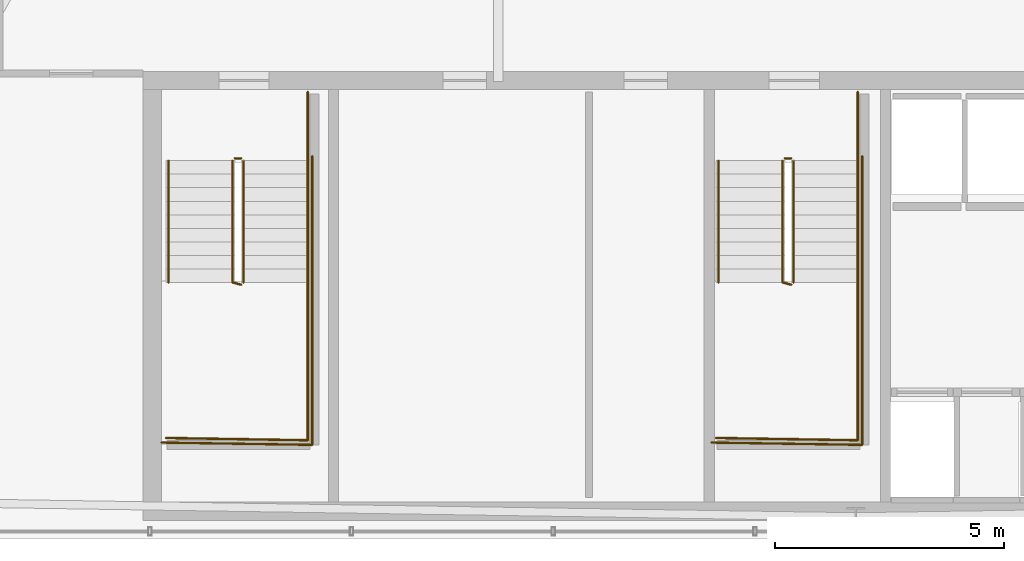
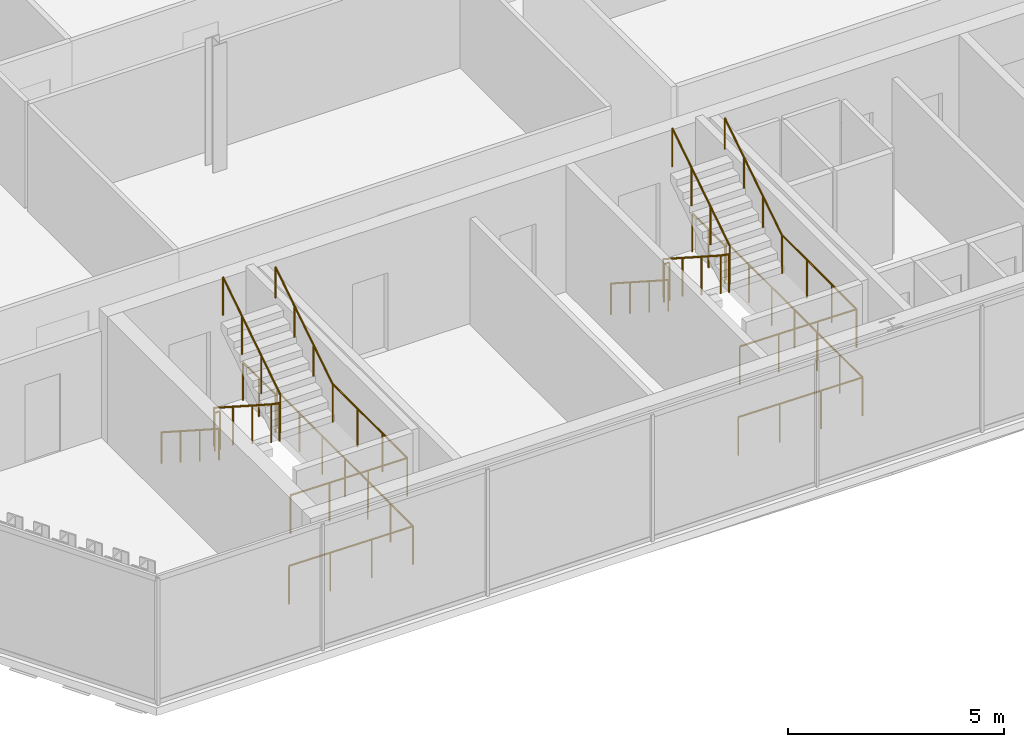
# One storey, part 30 of 32: 16 railings.
"""IFC4 building model written with IfcOpenShell, lengths in metres."""

import ifcopenshell
import ifcopenshell.guid

model = None  # the IFC model being written
_history = None  # IfcOwnerHistory: only IFC2X3 demands one
_inside = {}  # id of a spatial element -> (the spatial element, [elements in it])
_under = {}  # id of a project, library or spatial element -> (it, [spatial elements below it])
_declared = {}  # id of a project -> (the project, [libraries it declares])
_typed = {}  # id of a type object -> (the type object, [elements of that type])
_made_of = {}  # id of a material, layer set ... -> (it, [elements and type objects made of it])


def new_model(schema):
    """Start an empty IFC model of exactly this schema.

    Asked for "IFC4X3", IfcOpenShell would pick the latest addendum, in which some entities
    have other attributes; the version numbers below select the first issue.
    IFC2X3 requires an IfcOwnerHistory on every rooted entity: one is made here for all.
    """
    global model, _history
    if schema == "IFC4X3":
        model = ifcopenshell.file(schema_version=(4, 3, 0, 0))
    else:
        model = ifcopenshell.file(schema=schema)
    _inside.clear()
    _under.clear()
    _declared.clear()
    _typed.clear()
    _made_of.clear()
    _history = None
    if model.schema == "IFC2X3":
        org = make("IfcOrganization", Name="unknown")
        user = make(
            "IfcPersonAndOrganization",
            ThePerson=make("IfcPerson", FamilyName="unknown"),
            TheOrganization=org,
        )
        app = make(
            "IfcApplication",
            ApplicationDeveloper=org,
            Version="unknown",
            ApplicationFullName="unknown",
            ApplicationIdentifier="unknown",
        )
        _history = make(
            "IfcOwnerHistory",
            OwningUser=user,
            OwningApplication=app,
            ChangeAction="ADDED",
            CreationDate=0,
        )
    return model


def make(cls, **values):
    """One entity of the class cls with the attributes given. An attribute that is None is left unset."""
    return model.create_entity(
        cls, **{name: value for name, value in values.items() if value is not None}
    )


def rooted(cls, **values):
    """An entity with a GlobalId (a new one), such as an element, a storey or a relation."""
    return make(cls, GlobalId=ifcopenshell.guid.new(), OwnerHistory=_history, **values)


def si_unit(unit_type, name, prefix=None):
    """IfcSIUnit, for example si_unit("LENGTHUNIT", "METRE", prefix="MILLI")."""
    return make("IfcSIUnit", UnitType=unit_type, Prefix=prefix, Name=name)


def assignment(units):
    """IfcUnitAssignment: the units of a project."""
    return None if units is None else make("IfcUnitAssignment", Units=units)


def point(xyz):
    """IfcCartesianPoint."""
    return None if xyz is None else make("IfcCartesianPoint", Coordinates=xyz)


def direction(xyz):
    """IfcDirection."""
    return None if xyz is None else make("IfcDirection", DirectionRatios=xyz)


def frame(location, z_axis=None, x_axis=None):
    """IfcAxis2Placement3D, a coordinate frame: its origin and axes. An axis left out is left unset."""
    return make(
        "IfcAxis2Placement3D",
        Location=point(location),
        Axis=direction(z_axis),
        RefDirection=direction(x_axis),
    )


def frame_2d(location, x_axis=None):
    """IfcAxis2Placement2D, a coordinate frame in the plane: its origin and x axis."""
    return make(
        "IfcAxis2Placement2D", Location=point(location), RefDirection=direction(x_axis)
    )


def origin():
    """The frame at (0, 0, 0) with its axes left unset."""
    return frame((0.0, 0.0, 0.0))


def origin_2d():
    """The frame at (0, 0) in the plane with its x axis left unset."""
    return frame_2d((0.0, 0.0))


def place(relative_to, where):
    """IfcLocalPlacement: puts the frame where relative to a parent placement (None: the world)."""
    return make(
        "IfcLocalPlacement", PlacementRelTo=relative_to, RelativePlacement=where
    )


def context(
    kind, dimensions, precision=None, world=None, true_north=None, identifier=None
):
    """IfcGeometricRepresentationContext, for example the 3D "Model" context."""
    return make(
        "IfcGeometricRepresentationContext",
        ContextIdentifier=identifier,
        ContextType=kind,
        CoordinateSpaceDimension=dimensions,
        Precision=precision,
        WorldCoordinateSystem=world,
        TrueNorth=true_north,
    )


def subcontext(parent, identifier, kind, view, scale=None):
    """IfcGeometricRepresentationSubContext, for example "Body" below "Model"."""
    return make(
        "IfcGeometricRepresentationSubContext",
        ContextIdentifier=identifier,
        ContextType=kind,
        ParentContext=parent,
        TargetScale=scale,
        TargetView=view,
    )


def project(units=None, contexts=None):
    """IfcProject with its units and contexts."""
    return rooted(
        "IfcProject",
        Name="project",
        RepresentationContexts=contexts,
        UnitsInContext=assignment(units),
    )


def spatial(cls, under=None, at=None, **own):
    """A site, building, storey or space (cls), placed at a placement, below another one or the project."""
    s = rooted(cls, ObjectPlacement=at, **own)
    if under is not None:
        _under.setdefault(under.id(), (under, []))[1].append(s)
    return s


def profile(cls, at=None, kind="AREA", **sizes):
    """A parametric profile (cls). Its sizes go by their IFC names, for example OverallWidth=200.0."""
    return make(cls, ProfileType=kind, Position=at, **sizes)


def circle(**sizes):
    """IfcCircleProfileDef."""
    return profile("IfcCircleProfileDef", **sizes)


def extrude(swept, where, along, depth):
    """IfcExtrudedAreaSolid: the profile swept, set in the frame where, extruded along a direction by depth."""
    return make(
        "IfcExtrudedAreaSolid",
        SweptArea=swept,
        Position=where,
        ExtrudedDirection=direction(along),
        Depth=depth,
    )


def shape(context_of_items, identifier, shape_type, items):
    """IfcShapeRepresentation: the items that make up one representation, for example the "Body"."""
    return make(
        "IfcShapeRepresentation",
        ContextOfItems=context_of_items,
        RepresentationIdentifier=identifier,
        RepresentationType=shape_type,
        Items=items,
    )


def material(Name=None, Category=None):
    """IfcMaterial."""
    return make("IfcMaterial", Name=Name, Category=Category)


def layer(
    of_material, thickness, ventilated=None, Name=None, Category=None, Priority=None
):
    """IfcMaterialLayer: one layer of a wall or slab, of a material (None: an air gap)."""
    return make(
        "IfcMaterialLayer",
        Material=of_material,
        LayerThickness=thickness,
        IsVentilated=ventilated,
        Name=Name,
        Category=Category,
        Priority=Priority,
    )


def layer_set(layers, Name=None):
    """IfcMaterialLayerSet."""
    return make("IfcMaterialLayerSet", MaterialLayers=layers, LayerSetName=Name)


def made_of(thing, what):
    """Note that an element or type object is made of a material, layer set ...; save() writes the relation."""
    if what is not None:
        _made_of.setdefault(what.id(), (what, []))[1].append(thing)
    return thing


def type_object(cls, material=None, **own):
    """A type object (cls), such as IfcWallType, which elements share."""
    return made_of(rooted(cls, **own), material)


def element(
    cls,
    number,
    at=None,
    inside=None,
    cuts=None,
    type_object=None,
    material=None,
    context=None,
    identifier="Body",
    shape_type=None,
    held_by="IfcProductDefinitionShape",
    body=None,
    shapes=None,
    **own,
):
    """One element of the class cls, such as IfcWall. Its Tag is "e" and its number.

    at: its placement. inside: the storey or other place that contains it. cuts: it is an
    opening in that element (IfcRelVoidsElement). A single representation is given by context,
    identifier, shape_type and body (its items); several are given by shapes. held_by: the class
    of the entity that holds the representations. save() writes the other relations.
    """
    e = rooted(cls, Tag="e%d" % number, ObjectPlacement=at, **own)
    if body is not None:
        shapes = [shape(context, identifier, shape_type, body)]
    if shapes is not None:
        e.Representation = make(held_by, Representations=shapes)
    if inside is not None:
        _inside.setdefault(inside.id(), (inside, []))[1].append(e)
    if cuts is not None:
        rooted(
            "IfcRelVoidsElement", RelatingBuildingElement=cuts, RelatedOpeningElement=e
        )
    if type_object is not None:
        _typed.setdefault(type_object.id(), (type_object, []))[1].append(e)
    return made_of(e, material)


def aggregate(whole, parts):
    """IfcRelAggregates: a whole, such as a stair, and the parts it consists of."""
    return rooted("IfcRelAggregates", RelatingObject=whole, RelatedObjects=parts)


def save(model, path):
    """Write the relations noted so far, then the file.

    IfcRelAggregates (storeys below a building ...), IfcRelContainedInSpatialStructure (elements
    in a storey), IfcRelDefinesByType, IfcRelAssociatesMaterial and IfcRelDeclares: one each for
    every whole, place, type object, material and project.
    """
    for whole, parts in _under.values():
        aggregate(whole, parts)
    for where, things in _inside.values():
        rooted(
            "IfcRelContainedInSpatialStructure",
            RelatedElements=things,
            RelatingStructure=where,
        )
    for kind, things in _typed.values():
        rooted("IfcRelDefinesByType", RelatedObjects=things, RelatingType=kind)
    for what, things in _made_of.values():
        rooted("IfcRelAssociatesMaterial", RelatedObjects=things, RelatingMaterial=what)
    for by, libraries in _declared.values():
        rooted("IfcRelDeclares", RelatingContext=by, RelatedDefinitions=libraries)
    model.write(path)


model = new_model("IFC4")

# Units and contexts
model_context = context("Model", 3, precision=1e-05, world=origin(), true_north=direction((0.0, 1.0)))
body_context = subcontext(model_context, "Body", "Model", "MODEL_VIEW")
ifc_project = project(units=[si_unit("LENGTHUNIT", "METRE"), si_unit("AREAUNIT", "SQUARE_METRE"), si_unit("VOLUMEUNIT", "CUBIC_METRE"), si_unit("PLANEANGLEUNIT", "RADIAN"), si_unit("MASSUNIT", "GRAM", prefix="KILO")], contexts=[model_context])

# Site, building, storey
site_placement = place(None, origin())
site = spatial("IfcSite", under=ifc_project, at=site_placement, CompositionType="ELEMENT")
building_placement = place(site_placement, origin())
building = spatial("IfcBuilding", under=site, at=building_placement, Name="Ndaravel Arena Tower", CompositionType="ELEMENT")
storey_placement = place(building_placement, frame((0.0, 0.0, 252.199951171875)))
storey = spatial("IfcBuildingStorey", under=building, at=storey_placement, Name="L61", CompositionType="ELEMENT", Elevation=252.199951171875)

# Railings
ifc_material_1 = material(Name="Steel S355", Category="steel")
ifc_layer_1 = layer(ifc_material_1, 0.06005859375)
ifc_layer_set_1 = layer_set([ifc_layer_1], Name="Steel S355")
railing_type_1 = type_object("IfcRailingType", Name="RAIL-STAIR-GD1100", PredefinedType="GUARDRAIL", material=ifc_layer_set_1)
railing_1_placement = place(storey_placement, frame((28.39990234375, 13.25, 0.18994140625)))
element("IfcRailing", 1, at=railing_1_placement, inside=storey, type_object=railing_type_1, Name="L61 ST-1 stair guard 1", PredefinedType="GUARDRAIL", context=body_context, shape_type="SweptSolid", body=[
    extrude(circle(Radius=0.02392578125, at=origin_2d()), frame((0.0, 0.0, 1.076171875), z_axis=(0.0, -0.840688348013, 0.541519253134), x_axis=(1.0, 0.0, 0.0)), (0.0, 0.0, 1.0), 3.158203125),
    extrude(circle(Radius=0.02392578125, at=origin_2d()), frame((0.0, -2.655029296875, 2.7861328125), z_axis=(0.967074537263, -0.25449329928, 0.0), x_axis=(0.25449329928, 0.967074537263, 0.0)), (0.0, 0.0, 1.0), 0.19677734375),
    extrude(circle(Radius=0.02099609375, at=origin_2d()), origin(), (0.0, 0.0, 1.0), 1.052001953125),
    extrude(circle(Radius=0.02099609375, at=origin_2d()), frame((0.0, -0.885009765625, 0.570068359375)), (0.0, 0.0, 1.0), 1.052001953125),
    extrude(circle(Radius=0.02099609375, at=origin_2d()), frame((0.0, -1.77001953125, 1.14013671875)), (0.0, 0.0, 1.0), 1.052001953125),
    extrude(circle(Radius=0.02099609375, at=origin_2d()), frame((0.0, -2.655029296875, 1.710205078125)), (0.0, 0.0, 1.0), 1.052001953125),
    extrude(circle(Radius=0.02099609375, at=origin_2d()), frame((0.190185546875, -2.705078125, 1.710205078125)), (0.0, 0.0, 1.0), 1.052001953125),
])
railing_2_placement = place(storey_placement, frame((30.0400390625, 10.594970703125, 1.900146484375)))
element("IfcRailing", 2, at=railing_2_placement, inside=storey, type_object=railing_type_1, Name="L61 ST-1 stair guard 2", PredefinedType="GUARDRAIL", context=body_context, shape_type="SweptSolid", body=[
    extrude(circle(Radius=0.02392578125, at=origin_2d()), frame((0.0, 0.0, 1.076171875), z_axis=(0.0, -1.0, 0.0), x_axis=(1.0, 0.0, 0.0)), (0.0, 0.0, 1.0), 3.445068359375),
    extrude(circle(Radius=0.02392578125, at=origin_2d()), frame((0.0, -3.445068359375, 1.076171875), z_axis=(-0.999868861343, 0.016194447071, 0.0), x_axis=(-0.016194447071, -0.999868861343, 0.0)), (0.0, 0.0, 1.0), 3.090576171875),
    extrude(circle(Radius=0.02099609375, at=origin_2d()), origin(), (0.0, 0.0, 1.0), 1.052001953125),
    extrude(circle(Radius=0.02099609375, at=origin_2d()), frame((0.0, -1.1484375, 0.0)), (0.0, 0.0, 1.0), 1.052001953125),
    extrude(circle(Radius=0.02099609375, at=origin_2d()), frame((0.0, -2.296630859375, 0.0)), (0.0, 0.0, 1.0), 1.052001953125),
    extrude(circle(Radius=0.02099609375, at=origin_2d()), frame((0.0, -3.445068359375, 0.0)), (0.0, 0.0, 1.0), 1.052001953125),
    extrude(circle(Radius=0.02099609375, at=origin_2d()), frame((-1.030029296875, -3.428466796875, 0.0)), (0.0, 0.0, 1.0), 1.052001953125),
    extrude(circle(Radius=0.02099609375, at=origin_2d()), frame((-2.06005859375, -3.41162109375, 0.0)), (0.0, 0.0, 1.0), 1.052001953125),
    extrude(circle(Radius=0.02099609375, at=origin_2d()), frame((-3.090087890625, -3.39501953125, 0.0)), (0.0, 0.0, 1.0), 1.052001953125),
])
railing_3_placement = place(storey_placement, frame((28.639892578125, 10.594970703125, 2.090087890625)))
element("IfcRailing", 3, at=railing_3_placement, inside=storey, type_object=railing_type_1, Name="L61 ST-1 stair guard 3", PredefinedType="GUARDRAIL", context=body_context, shape_type="SweptSolid", body=[
    extrude(circle(Radius=0.02392578125, at=origin_2d()), frame((0.0, 0.0, 1.076171875), z_axis=(0.0, 0.840723540582, 0.54146461409), x_axis=(-1.0, 0.0, 0.0)), (0.0, 0.0, 1.0), 3.157958984375),
    extrude(circle(Radius=0.02099609375, at=origin_2d()), origin(), (0.0, 0.0, 1.0), 1.052001953125),
    extrude(circle(Radius=0.02099609375, at=origin_2d()), frame((0.0, 0.885009765625, 0.570068359375)), (0.0, 0.0, 1.0), 1.052001953125),
    extrude(circle(Radius=0.02099609375, at=origin_2d()), frame((0.0, 1.77001953125, 1.139892578125)), (0.0, 0.0, 1.0), 1.052001953125),
    extrude(circle(Radius=0.02099609375, at=origin_2d()), frame((0.0, 2.655029296875, 1.7099609375)), (0.0, 0.0, 1.0), 1.052001953125),
])
railing_4_placement = place(storey_placement, frame((28.449951171875, 13.300048828125, 0.0)))
element("IfcRailing", 4, at=railing_4_placement, inside=storey, type_object=railing_type_1, Name="L61 ST-1 stair guard 4", PredefinedType="GUARDRAIL", context=body_context, shape_type="SweptSolid", body=[
    extrude(circle(Radius=0.02392578125, at=origin_2d()), frame((0.0, 0.0, 1.076171875), z_axis=(1.0, 0.0, 0.0), x_axis=(0.0, 1.0, 0.0)), (0.0, 0.0, 1.0), 0.14013671875),
    extrude(circle(Radius=0.02099609375, at=origin_2d()), origin(), (0.0, 0.0, 1.0), 1.052001953125),
    extrude(circle(Radius=0.02099609375, at=origin_2d()), frame((0.14013671875, 0.0, 0.0)), (0.0, 0.0, 1.0), 1.052001953125),
])
railing_5_placement = place(storey_placement, frame((30.0400390625, 14.75, 0.0)))
element("IfcRailing", 5, at=railing_5_placement, inside=storey, type_object=railing_type_1, Name="L61 ST-1 stair guard 5", PredefinedType="GUARDRAIL", context=body_context, shape_type="SweptSolid", body=[
    extrude(circle(Radius=0.02392578125, at=origin_2d()), frame((0.0, 0.0, 1.076171875), z_axis=(0.0, -1.0, 0.0), x_axis=(1.0, 0.0, 0.0)), (0.0, 0.0, 1.0), 1.5),
    extrude(circle(Radius=0.02099609375, at=origin_2d()), origin(), (0.0, 0.0, 1.0), 1.052001953125),
    extrude(circle(Radius=0.02099609375, at=origin_2d()), frame((0.0, -0.75, 0.0)), (0.0, 0.0, 1.0), 1.052001953125),
    extrude(circle(Radius=0.02099609375, at=origin_2d()), frame((0.0, -1.5, 0.0)), (0.0, 0.0, 1.0), 1.052001953125),
])
railing_6_placement = place(storey_placement, frame((30.139892578125, 13.35009765625, 0.0)))
element("IfcRailing", 6, at=railing_6_placement, inside=storey, type_object=railing_type_1, Name="L61 ST-1 stair guard 6", PredefinedType="GUARDRAIL", context=body_context, shape_type="SweptSolid", body=[
    extrude(circle(Radius=0.02392578125, at=origin_2d()), frame((0.0, 0.0, 1.076171875), z_axis=(0.0, -1.0, 0.0), x_axis=(1.0, 0.0, 0.0)), (0.0, 0.0, 1.0), 6.300048828125),
    extrude(circle(Radius=0.02392578125, at=origin_2d()), frame((0.0, -6.300048828125, 1.076171875), z_axis=(-0.999884296952, 0.015211597839, 0.0), x_axis=(-0.015211597839, -0.999884296952, 0.0)), (0.0, 0.0, 1.0), 3.290283203125),
    extrude(circle(Radius=0.02099609375, at=origin_2d()), origin(), (0.0, 0.0, 1.0), 1.052001953125),
    extrude(circle(Radius=0.02099609375, at=origin_2d()), frame((0.0, -1.050048828125, 0.0)), (0.0, 0.0, 1.0), 1.052001953125),
    extrude(circle(Radius=0.02099609375, at=origin_2d()), frame((0.0, -2.10009765625, 0.0)), (0.0, 0.0, 1.0), 1.052001953125),
    extrude(circle(Radius=0.02099609375, at=origin_2d()), frame((0.0, -3.14990234375, 0.0)), (0.0, 0.0, 1.0), 1.052001953125),
    extrude(circle(Radius=0.02099609375, at=origin_2d()), frame((0.0, -4.199951171875, 0.0)), (0.0, 0.0, 1.0), 1.052001953125),
    extrude(circle(Radius=0.02099609375, at=origin_2d()), frame((0.0, -5.25, 0.0)), (0.0, 0.0, 1.0), 1.052001953125),
    extrude(circle(Radius=0.02099609375, at=origin_2d()), frame((0.0, -6.300048828125, 0.0)), (0.0, 0.0, 1.0), 1.052001953125),
    extrude(circle(Radius=0.02099609375, at=origin_2d()), frame((-1.0966796875, -6.283447265625, 0.0)), (0.0, 0.0, 1.0), 1.052001953125),
    extrude(circle(Radius=0.02099609375, at=origin_2d()), frame((-2.193115234375, -6.2666015625, 0.0)), (0.0, 0.0, 1.0), 1.052001953125),
    extrude(circle(Radius=0.02099609375, at=origin_2d()), frame((-3.289794921875, -6.25, 0.0)), (0.0, 0.0, 1.0), 1.052001953125),
])
railing_7_placement = place(storey_placement, frame((40.39990234375, 13.25, 0.18994140625)))
element("IfcRailing", 7, at=railing_7_placement, inside=storey, type_object=railing_type_1, Name="L61 ST-2 stair guard 1", PredefinedType="GUARDRAIL", context=body_context, shape_type="SweptSolid", body=[
    extrude(circle(Radius=0.02392578125, at=origin_2d()), frame((0.0, 0.0, 1.076171875), z_axis=(0.0, -0.840688348013, 0.541519253134), x_axis=(1.0, 0.0, 0.0)), (0.0, 0.0, 1.0), 3.158203125),
    extrude(circle(Radius=0.02392578125, at=origin_2d()), frame((0.0, -2.655029296875, 2.7861328125), z_axis=(0.967074537263, -0.25449329928, 0.0), x_axis=(0.25449329928, 0.967074537263, 0.0)), (0.0, 0.0, 1.0), 0.19677734375),
    extrude(circle(Radius=0.02099609375, at=origin_2d()), origin(), (0.0, 0.0, 1.0), 1.052001953125),
    extrude(circle(Radius=0.02099609375, at=origin_2d()), frame((0.0, -0.885009765625, 0.570068359375)), (0.0, 0.0, 1.0), 1.052001953125),
    extrude(circle(Radius=0.02099609375, at=origin_2d()), frame((0.0, -1.77001953125, 1.14013671875)), (0.0, 0.0, 1.0), 1.052001953125),
    extrude(circle(Radius=0.02099609375, at=origin_2d()), frame((0.0, -2.655029296875, 1.710205078125)), (0.0, 0.0, 1.0), 1.052001953125),
    extrude(circle(Radius=0.02099609375, at=origin_2d()), frame((0.190185546875, -2.705078125, 1.710205078125)), (0.0, 0.0, 1.0), 1.052001953125),
])
railing_8_placement = place(storey_placement, frame((42.0400390625, 10.594970703125, 1.900146484375)))
element("IfcRailing", 8, at=railing_8_placement, inside=storey, type_object=railing_type_1, Name="L61 ST-2 stair guard 2", PredefinedType="GUARDRAIL", context=body_context, shape_type="SweptSolid", body=[
    extrude(circle(Radius=0.02392578125, at=origin_2d()), frame((0.0, 0.0, 1.076171875), z_axis=(0.0, -1.0, 0.0), x_axis=(1.0, 0.0, 0.0)), (0.0, 0.0, 1.0), 3.445068359375),
    extrude(circle(Radius=0.02392578125, at=origin_2d()), frame((0.0, -3.445068359375, 1.076171875), z_axis=(-0.999868861343, 0.016194447071, 0.0), x_axis=(-0.016194447071, -0.999868861343, 0.0)), (0.0, 0.0, 1.0), 3.090576171875),
    extrude(circle(Radius=0.02099609375, at=origin_2d()), origin(), (0.0, 0.0, 1.0), 1.052001953125),
    extrude(circle(Radius=0.02099609375, at=origin_2d()), frame((0.0, -1.1484375, 0.0)), (0.0, 0.0, 1.0), 1.052001953125),
    extrude(circle(Radius=0.02099609375, at=origin_2d()), frame((0.0, -2.296630859375, 0.0)), (0.0, 0.0, 1.0), 1.052001953125),
    extrude(circle(Radius=0.02099609375, at=origin_2d()), frame((0.0, -3.445068359375, 0.0)), (0.0, 0.0, 1.0), 1.052001953125),
    extrude(circle(Radius=0.02099609375, at=origin_2d()), frame((-1.030029296875, -3.428466796875, 0.0)), (0.0, 0.0, 1.0), 1.052001953125),
    extrude(circle(Radius=0.02099609375, at=origin_2d()), frame((-2.06005859375, -3.41162109375, 0.0)), (0.0, 0.0, 1.0), 1.052001953125),
    extrude(circle(Radius=0.02099609375, at=origin_2d()), frame((-3.090087890625, -3.39501953125, 0.0)), (0.0, 0.0, 1.0), 1.052001953125),
])
railing_9_placement = place(storey_placement, frame((40.639892578125, 10.594970703125, 2.090087890625)))
element("IfcRailing", 9, at=railing_9_placement, inside=storey, type_object=railing_type_1, Name="L61 ST-2 stair guard 3", PredefinedType="GUARDRAIL", context=body_context, shape_type="SweptSolid", body=[
    extrude(circle(Radius=0.02392578125, at=origin_2d()), frame((0.0, 0.0, 1.076171875), z_axis=(0.0, 0.840723540582, 0.54146461409), x_axis=(-1.0, 0.0, 0.0)), (0.0, 0.0, 1.0), 3.157958984375),
    extrude(circle(Radius=0.02099609375, at=origin_2d()), origin(), (0.0, 0.0, 1.0), 1.052001953125),
    extrude(circle(Radius=0.02099609375, at=origin_2d()), frame((0.0, 0.885009765625, 0.570068359375)), (0.0, 0.0, 1.0), 1.052001953125),
    extrude(circle(Radius=0.02099609375, at=origin_2d()), frame((0.0, 1.77001953125, 1.139892578125)), (0.0, 0.0, 1.0), 1.052001953125),
    extrude(circle(Radius=0.02099609375, at=origin_2d()), frame((0.0, 2.655029296875, 1.7099609375)), (0.0, 0.0, 1.0), 1.052001953125),
])
railing_10_placement = place(storey_placement, frame((40.449951171875, 13.300048828125, 0.0)))
element("IfcRailing", 10, at=railing_10_placement, inside=storey, type_object=railing_type_1, Name="L61 ST-2 stair guard 4", PredefinedType="GUARDRAIL", context=body_context, shape_type="SweptSolid", body=[
    extrude(circle(Radius=0.02392578125, at=origin_2d()), frame((0.0, 0.0, 1.076171875), z_axis=(1.0, 0.0, 0.0), x_axis=(0.0, 1.0, 0.0)), (0.0, 0.0, 1.0), 0.14013671875),
    extrude(circle(Radius=0.02099609375, at=origin_2d()), origin(), (0.0, 0.0, 1.0), 1.052001953125),
    extrude(circle(Radius=0.02099609375, at=origin_2d()), frame((0.14013671875, 0.0, 0.0)), (0.0, 0.0, 1.0), 1.052001953125),
])
railing_11_placement = place(storey_placement, frame((42.0400390625, 14.75, 0.0)))
element("IfcRailing", 11, at=railing_11_placement, inside=storey, type_object=railing_type_1, Name="L61 ST-2 stair guard 5", PredefinedType="GUARDRAIL", context=body_context, shape_type="SweptSolid", body=[
    extrude(circle(Radius=0.02392578125, at=origin_2d()), frame((0.0, 0.0, 1.076171875), z_axis=(0.0, -1.0, 0.0), x_axis=(1.0, 0.0, 0.0)), (0.0, 0.0, 1.0), 1.5),
    extrude(circle(Radius=0.02099609375, at=origin_2d()), origin(), (0.0, 0.0, 1.0), 1.052001953125),
    extrude(circle(Radius=0.02099609375, at=origin_2d()), frame((0.0, -0.75, 0.0)), (0.0, 0.0, 1.0), 1.052001953125),
    extrude(circle(Radius=0.02099609375, at=origin_2d()), frame((0.0, -1.5, 0.0)), (0.0, 0.0, 1.0), 1.052001953125),
])
railing_12_placement = place(storey_placement, frame((42.139892578125, 13.35009765625, 0.0)))
element("IfcRailing", 12, at=railing_12_placement, inside=storey, type_object=railing_type_1, Name="L61 ST-2 stair guard 6", PredefinedType="GUARDRAIL", context=body_context, shape_type="SweptSolid", body=[
    extrude(circle(Radius=0.02392578125, at=origin_2d()), frame((0.0, 0.0, 1.076171875), z_axis=(0.0, -1.0, 0.0), x_axis=(1.0, 0.0, 0.0)), (0.0, 0.0, 1.0), 6.300048828125),
    extrude(circle(Radius=0.02392578125, at=origin_2d()), frame((0.0, -6.300048828125, 1.076171875), z_axis=(-0.999884296952, 0.015211597839, 0.0), x_axis=(-0.015211597839, -0.999884296952, 0.0)), (0.0, 0.0, 1.0), 3.290283203125),
    extrude(circle(Radius=0.02099609375, at=origin_2d()), origin(), (0.0, 0.0, 1.0), 1.052001953125),
    extrude(circle(Radius=0.02099609375, at=origin_2d()), frame((0.0, -1.050048828125, 0.0)), (0.0, 0.0, 1.0), 1.052001953125),
    extrude(circle(Radius=0.02099609375, at=origin_2d()), frame((0.0, -2.10009765625, 0.0)), (0.0, 0.0, 1.0), 1.052001953125),
    extrude(circle(Radius=0.02099609375, at=origin_2d()), frame((0.0, -3.14990234375, 0.0)), (0.0, 0.0, 1.0), 1.052001953125),
    extrude(circle(Radius=0.02099609375, at=origin_2d()), frame((0.0, -4.199951171875, 0.0)), (0.0, 0.0, 1.0), 1.052001953125),
    extrude(circle(Radius=0.02099609375, at=origin_2d()), frame((0.0, -5.25, 0.0)), (0.0, 0.0, 1.0), 1.052001953125),
    extrude(circle(Radius=0.02099609375, at=origin_2d()), frame((0.0, -6.300048828125, 0.0)), (0.0, 0.0, 1.0), 1.052001953125),
    extrude(circle(Radius=0.02099609375, at=origin_2d()), frame((-1.0966796875, -6.283447265625, 0.0)), (0.0, 0.0, 1.0), 1.052001953125),
    extrude(circle(Radius=0.02099609375, at=origin_2d()), frame((-2.193115234375, -6.2666015625, 0.0)), (0.0, 0.0, 1.0), 1.052001953125),
    extrude(circle(Radius=0.02099609375, at=origin_2d()), frame((-3.289794921875, -6.25, 0.0)), (0.0, 0.0, 1.0), 1.052001953125),
])
ifc_material_2 = material(Name="Steel S355", Category="steel")
ifc_layer_2 = layer(ifc_material_2, 0.050048828125)
ifc_layer_set_2 = layer_set([ifc_layer_2], Name="Steel S355")
railing_type_2 = type_object("IfcRailingType", Name="RAIL-STAIR-HR920", PredefinedType="HANDRAIL", material=ifc_layer_set_2)
railing_13_placement = place(storey_placement, frame((27.0, 13.25, 0.18994140625)))
element("IfcRailing", 13, at=railing_13_placement, inside=storey, type_object=railing_type_2, Name="L61 ST-1 stair handrail 1", PredefinedType="HANDRAIL", context=body_context, shape_type="SweptSolid", body=[
    extrude(circle(Radius=0.02392578125, at=origin_2d()), frame((0.0, 0.0, 0.8759765625), z_axis=(0.0, -0.840688348013, 0.541519253134), x_axis=(1.0, 0.0, 0.0)), (0.0, 0.0, 1.0), 3.158203125),
    extrude(circle(Radius=0.02099609375, at=origin_2d()), origin(), (0.0, 0.0, 1.0), 0.851806640625),
    extrude(circle(Radius=0.02099609375, at=origin_2d()), frame((0.0, -0.885009765625, 0.570068359375)), (0.0, 0.0, 1.0), 0.851806640625),
    extrude(circle(Radius=0.02099609375, at=origin_2d()), frame((0.0, -1.77001953125, 1.14013671875)), (0.0, 0.0, 1.0), 0.851806640625),
    extrude(circle(Radius=0.02099609375, at=origin_2d()), frame((0.0, -2.655029296875, 1.710205078125)), (0.0, 0.0, 1.0), 0.851806640625),
])
railing_14_placement = place(storey_placement, frame((30.0400390625, 10.594970703125, 2.090087890625)))
element("IfcRailing", 14, at=railing_14_placement, inside=storey, type_object=railing_type_2, Name="L61 ST-1 stair handrail 2", PredefinedType="HANDRAIL", context=body_context, shape_type="SweptSolid", body=[
    extrude(circle(Radius=0.02392578125, at=origin_2d()), frame((0.0, 0.0, 0.8759765625), z_axis=(0.0, 0.840723540582, 0.54146461409), x_axis=(-1.0, 0.0, 0.0)), (0.0, 0.0, 1.0), 3.157958984375),
    extrude(circle(Radius=0.02099609375, at=origin_2d()), origin(), (0.0, 0.0, 1.0), 0.851806640625),
    extrude(circle(Radius=0.02099609375, at=origin_2d()), frame((0.0, 0.885009765625, 0.570068359375)), (0.0, 0.0, 1.0), 0.851806640625),
    extrude(circle(Radius=0.02099609375, at=origin_2d()), frame((0.0, 1.77001953125, 1.139892578125)), (0.0, 0.0, 1.0), 0.851806640625),
    extrude(circle(Radius=0.02099609375, at=origin_2d()), frame((0.0, 2.655029296875, 1.7099609375)), (0.0, 0.0, 1.0), 0.851806640625),
])
railing_15_placement = place(storey_placement, frame((39.0, 13.25, 0.18994140625)))
element("IfcRailing", 15, at=railing_15_placement, inside=storey, type_object=railing_type_2, Name="L61 ST-2 stair handrail 1", PredefinedType="HANDRAIL", context=body_context, shape_type="SweptSolid", body=[
    extrude(circle(Radius=0.02392578125, at=origin_2d()), frame((0.0, 0.0, 0.8759765625), z_axis=(0.0, -0.840688348013, 0.541519253134), x_axis=(1.0, 0.0, 0.0)), (0.0, 0.0, 1.0), 3.158203125),
    extrude(circle(Radius=0.02099609375, at=origin_2d()), origin(), (0.0, 0.0, 1.0), 0.851806640625),
    extrude(circle(Radius=0.02099609375, at=origin_2d()), frame((0.0, -0.885009765625, 0.570068359375)), (0.0, 0.0, 1.0), 0.851806640625),
    extrude(circle(Radius=0.02099609375, at=origin_2d()), frame((0.0, -1.77001953125, 1.14013671875)), (0.0, 0.0, 1.0), 0.851806640625),
    extrude(circle(Radius=0.02099609375, at=origin_2d()), frame((0.0, -2.655029296875, 1.710205078125)), (0.0, 0.0, 1.0), 0.851806640625),
])
railing_16_placement = place(storey_placement, frame((42.0400390625, 10.594970703125, 2.090087890625)))
element("IfcRailing", 16, at=railing_16_placement, inside=storey, type_object=railing_type_2, Name="L61 ST-2 stair handrail 2", PredefinedType="HANDRAIL", context=body_context, shape_type="SweptSolid", body=[
    extrude(circle(Radius=0.02392578125, at=origin_2d()), frame((0.0, 0.0, 0.8759765625), z_axis=(0.0, 0.840723540582, 0.54146461409), x_axis=(-1.0, 0.0, 0.0)), (0.0, 0.0, 1.0), 3.157958984375),
    extrude(circle(Radius=0.02099609375, at=origin_2d()), origin(), (0.0, 0.0, 1.0), 0.851806640625),
    extrude(circle(Radius=0.02099609375, at=origin_2d()), frame((0.0, 0.885009765625, 0.570068359375)), (0.0, 0.0, 1.0), 0.851806640625),
    extrude(circle(Radius=0.02099609375, at=origin_2d()), frame((0.0, 1.77001953125, 1.139892578125)), (0.0, 0.0, 1.0), 0.851806640625),
    extrude(circle(Radius=0.02099609375, at=origin_2d()), frame((0.0, 2.655029296875, 1.7099609375)), (0.0, 0.0, 1.0), 0.851806640625),
])

save(model, "model.ifc")
